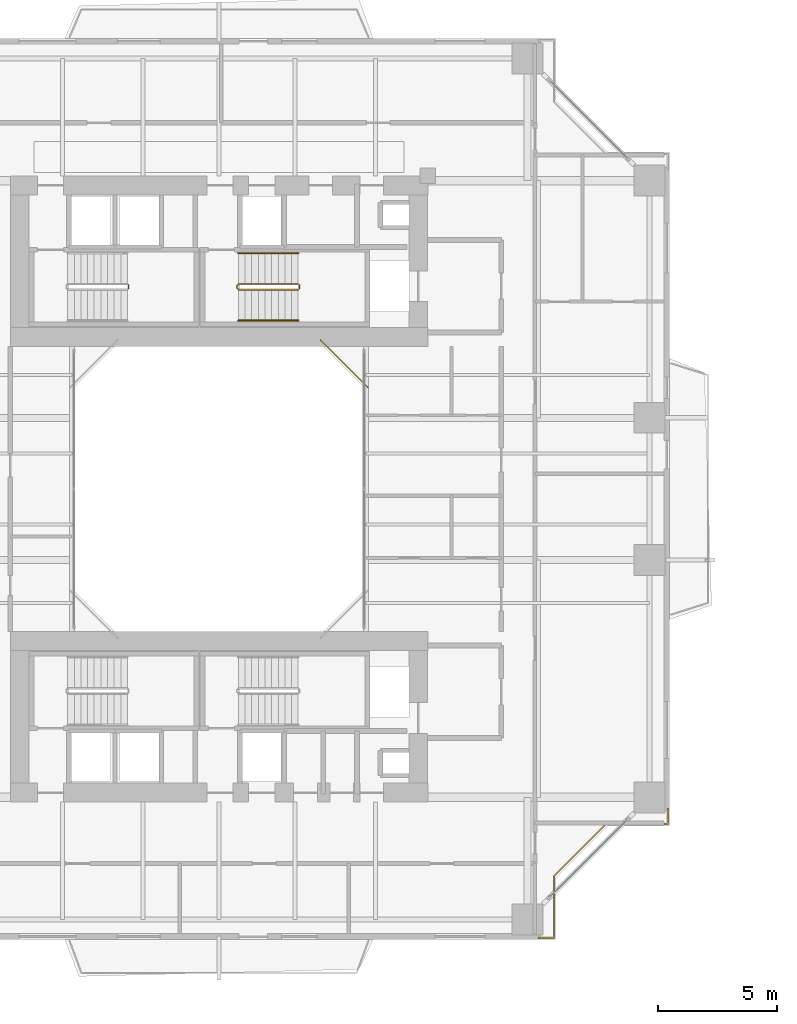
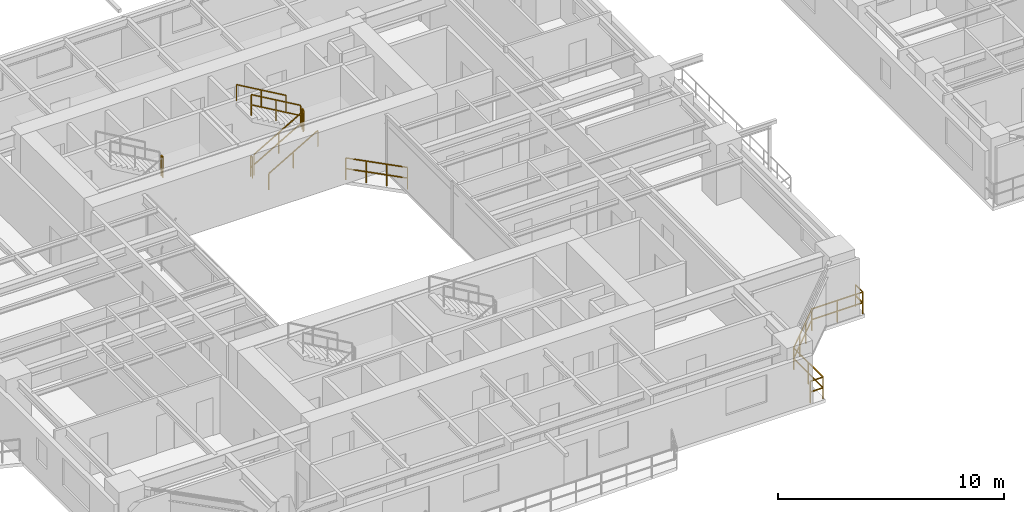
# One storey, part 21 of 23: 9 railings.
"""IFC4 building model written with IfcOpenShell, lengths in metres."""

from ifc_helpers import new_model, si_unit, direction, frame, origin, origin_2d, place, context, subcontext, project, spatial, rectangle, extrude, material, type_object, element, save


model = new_model("IFC4")

# Units and contexts
model_context = context("Model", 3, precision=1e-05, world=origin(), true_north=direction((0.0, 1.0)))
body_context = subcontext(model_context, "Body", "Model", "MODEL_VIEW")
ifc_project = project(units=[si_unit("LENGTHUNIT", "METRE"), si_unit("AREAUNIT", "SQUARE_METRE"), si_unit("VOLUMEUNIT", "CUBIC_METRE"), si_unit("PLANEANGLEUNIT", "RADIAN"), si_unit("MASSUNIT", "GRAM", prefix="KILO"), si_unit("THERMODYNAMICTEMPERATUREUNIT", "KELVIN"), si_unit("POWERUNIT", "WATT")], contexts=[model_context])

# Site, building, storey
site_placement = place(None, origin())
site = spatial("IfcSite", under=ifc_project, at=site_placement, CompositionType="ELEMENT")
building_placement = place(site_placement, origin())
building = spatial("IfcBuilding", under=site, at=building_placement, Name="Qiaomeng Ring Towers", CompositionType="ELEMENT")
storey_placement = place(building_placement, frame((0.0, 0.0, 26.25)))
storey = spatial("IfcBuildingStorey", under=building, at=storey_placement, Name="L06", CompositionType="ELEMENT", Elevation=26.25)

# Railings
ifc_material_1 = material(Name="Low-E pale-green laminated safety glass", Category="glass")
railing_type_1 = type_object("IfcRailingType", Name="ARC-RL-BAL1", PredefinedType="BALUSTRADE", material=ifc_material_1)
railing_1_placement = place(storey_placement, frame((25.280029296875, 27.280029296875, 0.0)))
element("IfcRailing", 1, at=railing_1_placement, inside=storey, type_object=railing_type_1, Name="L06 Balustrade ARC-BAL-WELL1-L06-2", PredefinedType="BALUSTRADE", context=body_context, shape_type="SweptSolid", body=[
    extrude(rectangle(XDim=0.048095703125, YDim=0.048095703125, at=origin_2d()), frame((0.0, 0.0, 1.17578125), z_axis=(-0.707106781187, 0.707106781187, 0.0), x_axis=(-0.707106781187, -0.707106781187, 0.0)), (0.0, 0.0, 1.0), 2.828369140625),
    extrude(rectangle(XDim=0.048095703125, YDim=0.048095703125, at=origin_2d()), frame((0.0, 0.0, 0.60009765625), z_axis=(-0.707106781187, 0.707106781187, 0.0), x_axis=(-0.707106781187, -0.707106781187, 0.0)), (0.0, 0.0, 1.0), 2.828369140625),
    extrude(rectangle(XDim=0.0419921875, YDim=0.0419921875, at=origin_2d()), origin(), (0.0, 0.0, 1.0), 1.15185546875),
    extrude(rectangle(XDim=0.0419921875, YDim=0.0419921875, at=origin_2d()), frame((-0.666748046875, 0.666748046875, 0.0)), (0.0, 0.0, 1.0), 1.15185546875),
    extrude(rectangle(XDim=0.0419921875, YDim=0.0419921875, at=origin_2d()), frame((-1.333251953125, 1.333251953125, 0.0)), (0.0, 0.0, 1.0), 1.15185546875),
    extrude(rectangle(XDim=0.0419921875, YDim=0.0419921875, at=origin_2d()), frame((-2.0, 2.0, 0.0)), (0.0, 0.0, 1.0), 1.15185546875),
])
railing_2_placement = place(storey_placement, frame((32.469970703125, 4.080078125, 0.0)))
element("IfcRailing", 2, at=railing_2_placement, inside=storey, type_object=railing_type_1, Name="L06 Balustrade ARC-BAL-NOTCH1-L06-SE", PredefinedType="BALUSTRADE", context=body_context, shape_type="SweptSolid", body=[
    extrude(rectangle(XDim=0.048095703125, YDim=0.048095703125, at=origin_2d()), frame((0.0, 0.0, 1.17578125), z_axis=(1.0, 0.0, 0.0), x_axis=(0.0, 1.0, 0.0)), (0.0, 0.0, 1.0), 0.650146484375),
    extrude(rectangle(XDim=0.048095703125, YDim=0.048095703125, at=origin_2d()), frame((0.0, 0.0, 0.60009765625), z_axis=(1.0, 0.0, 0.0), x_axis=(0.0, 1.0, 0.0)), (0.0, 0.0, 1.0), 0.650146484375),
    extrude(rectangle(XDim=0.048095703125, YDim=0.048095703125, at=origin_2d()), frame((0.650146484375, 0.0, 1.17578125), z_axis=(0.0, 1.0, 0.0), x_axis=(-1.0, 0.0, 0.0)), (0.0, 0.0, 1.0), 2.599853515625),
    extrude(rectangle(XDim=0.048095703125, YDim=0.048095703125, at=origin_2d()), frame((0.650146484375, 0.0, 0.60009765625), z_axis=(0.0, 1.0, 0.0), x_axis=(-1.0, 0.0, 0.0)), (0.0, 0.0, 1.0), 2.599853515625),
    extrude(rectangle(XDim=0.048095703125, YDim=0.048095703125, at=origin_2d()), frame((0.650146484375, 2.599853515625, 1.17578125), z_axis=(0.707106781187, 0.707106781187, 0.0), x_axis=(-0.707106781187, 0.707106781187, 0.0)), (0.0, 0.0, 1.0), 3.111083984375),
    extrude(rectangle(XDim=0.048095703125, YDim=0.048095703125, at=origin_2d()), frame((0.650146484375, 2.599853515625, 0.60009765625), z_axis=(0.707106781187, 0.707106781187, 0.0), x_axis=(-0.707106781187, 0.707106781187, 0.0)), (0.0, 0.0, 1.0), 3.111083984375),
    extrude(rectangle(XDim=0.048095703125, YDim=0.048095703125, at=origin_2d()), frame((2.85009765625, 4.7998046875, 1.17578125), z_axis=(1.0, 0.0, 0.0), x_axis=(0.0, 1.0, 0.0)), (0.0, 0.0, 1.0), 2.599853515625),
    extrude(rectangle(XDim=0.048095703125, YDim=0.048095703125, at=origin_2d()), frame((2.85009765625, 4.7998046875, 0.60009765625), z_axis=(1.0, 0.0, 0.0), x_axis=(0.0, 1.0, 0.0)), (0.0, 0.0, 1.0), 2.599853515625),
    extrude(rectangle(XDim=0.048095703125, YDim=0.048095703125, at=origin_2d()), frame((5.449951171875, 4.7998046875, 1.17578125), z_axis=(0.0, 1.0, 0.0), x_axis=(-1.0, 0.0, 0.0)), (0.0, 0.0, 1.0), 0.650146484375),
    extrude(rectangle(XDim=0.048095703125, YDim=0.048095703125, at=origin_2d()), frame((5.449951171875, 4.7998046875, 0.60009765625), z_axis=(0.0, 1.0, 0.0), x_axis=(-1.0, 0.0, 0.0)), (0.0, 0.0, 1.0), 0.650146484375),
    extrude(rectangle(XDim=0.0419921875, YDim=0.0419921875, at=origin_2d()), origin(), (0.0, 0.0, 1.0), 1.15185546875),
    extrude(rectangle(XDim=0.0419921875, YDim=0.0419921875, at=origin_2d()), frame((0.650146484375, 0.0, 0.0)), (0.0, 0.0, 1.0), 1.15185546875),
    extrude(rectangle(XDim=0.0419921875, YDim=0.0419921875, at=origin_2d()), frame((0.650146484375, 1.2998046875, 0.0)), (0.0, 0.0, 1.0), 1.15185546875),
    extrude(rectangle(XDim=0.0419921875, YDim=0.0419921875, at=origin_2d()), frame((0.650146484375, 2.599853515625, 0.0)), (0.0, 0.0, 1.0), 1.15185546875),
    extrude(rectangle(XDim=0.0419921875, YDim=0.0419921875, at=origin_2d()), frame((1.383544921875, 3.333251953125, 0.0)), (0.0, 0.0, 1.0), 1.15185546875),
    extrude(rectangle(XDim=0.0419921875, YDim=0.0419921875, at=origin_2d()), frame((2.11669921875, 4.06640625, 0.0)), (0.0, 0.0, 1.0), 1.15185546875),
    extrude(rectangle(XDim=0.0419921875, YDim=0.0419921875, at=origin_2d()), frame((2.85009765625, 4.7998046875, 0.0)), (0.0, 0.0, 1.0), 1.15185546875),
    extrude(rectangle(XDim=0.0419921875, YDim=0.0419921875, at=origin_2d()), frame((4.14990234375, 4.7998046875, 0.0)), (0.0, 0.0, 1.0), 1.15185546875),
    extrude(rectangle(XDim=0.0419921875, YDim=0.0419921875, at=origin_2d()), frame((5.449951171875, 4.7998046875, 0.0)), (0.0, 0.0, 1.0), 1.15185546875),
    extrude(rectangle(XDim=0.0419921875, YDim=0.0419921875, at=origin_2d()), frame((5.449951171875, 5.449951171875, 0.0)), (0.0, 0.0, 1.0), 1.15185546875),
])
ifc_material_2 = material(Name="Galvanised steel", Category="steel")
railing_type_2 = type_object("IfcRailingType", Name="ARC-RL-GUARD", PredefinedType="GUARDRAIL", material=ifc_material_2)
railing_3_placement = place(storey_placement, frame((15.18994140625, 31.449951171875, 1.625)))
element("IfcRailing", 3, at=railing_3_placement, inside=storey, type_object=railing_type_2, Name="L06 ST1 stair guard 2", PredefinedType="GUARDRAIL", context=body_context, shape_type="SweptSolid", body=[
    extrude(rectangle(XDim=0.048095703125, YDim=0.048095703125, at=origin_2d()), frame((0.0, 0.0, 1.1259765625), z_axis=(0.0, 1.0, 0.0), x_axis=(-1.0, 0.0, 0.0)), (0.0, 0.0, 1.0), 0.14013671875),
    extrude(rectangle(XDim=0.048095703125, YDim=0.048095703125, at=origin_2d()), frame((0.0, 0.0, 0.574951171875), z_axis=(0.0, 1.0, 0.0), x_axis=(-1.0, 0.0, 0.0)), (0.0, 0.0, 1.0), 0.14013671875),
    extrude(rectangle(XDim=0.0419921875, YDim=0.0419921875, at=origin_2d()), origin(), (0.0, 0.0, 1.0), 1.101806640625),
    extrude(rectangle(XDim=0.0419921875, YDim=0.0419921875, at=origin_2d()), frame((0.0, 0.14013671875, 0.0)), (0.0, 0.0, 1.0), 1.101806640625),
])
railing_4_placement = place(storey_placement, frame((19.820068359375, 31.39990234375, 0.16259765625)))
element("IfcRailing", 4, at=railing_4_placement, inside=storey, type_object=railing_type_2, Name="L06 ST2 stair guard 1", PredefinedType="GUARDRAIL", context=body_context, shape_type="SweptSolid", body=[
    extrude(rectangle(XDim=0.048095703125, YDim=0.048095703125, at=origin_2d()), frame((0.0, 0.0, 1.1259765625), z_axis=(0.864913338283, 0.0, 0.50192122615), x_axis=(0.0, 1.0, 0.0)), (0.0, 0.0, 1.0), 2.91357421875),
    extrude(rectangle(XDim=0.048095703125, YDim=0.048095703125, at=origin_2d()), frame((0.0, 0.0, 0.574951171875), z_axis=(0.864913338283, 0.0, 0.50192122615), x_axis=(0.0, 1.0, 0.0)), (0.0, 0.0, 1.0), 2.91357421875),
    extrude(rectangle(XDim=0.0419921875, YDim=0.0419921875, at=origin_2d()), origin(), (0.0, 0.0, 1.0), 1.101806640625),
    extrude(rectangle(XDim=0.0419921875, YDim=0.0419921875, at=origin_2d()), frame((1.260009765625, 0.0, 0.731201171875)), (0.0, 0.0, 1.0), 1.101806640625),
    extrude(rectangle(XDim=0.0419921875, YDim=0.0419921875, at=origin_2d()), frame((2.52001953125, 0.0, 1.46240234375)), (0.0, 0.0, 1.0), 1.101806640625),
])
railing_5_placement = place(storey_placement, frame((22.389892578125, 31.449951171875, 1.625)))
element("IfcRailing", 5, at=railing_5_placement, inside=storey, type_object=railing_type_2, Name="L06 ST2 stair guard 2", PredefinedType="GUARDRAIL", context=body_context, shape_type="SweptSolid", body=[
    extrude(rectangle(XDim=0.048095703125, YDim=0.048095703125, at=origin_2d()), frame((0.0, 0.0, 1.1259765625), z_axis=(0.0, 1.0, 0.0), x_axis=(-1.0, 0.0, 0.0)), (0.0, 0.0, 1.0), 0.14013671875),
    extrude(rectangle(XDim=0.048095703125, YDim=0.048095703125, at=origin_2d()), frame((0.0, 0.0, 0.574951171875), z_axis=(0.0, 1.0, 0.0), x_axis=(-1.0, 0.0, 0.0)), (0.0, 0.0, 1.0), 0.14013671875),
    extrude(rectangle(XDim=0.0419921875, YDim=0.0419921875, at=origin_2d()), origin(), (0.0, 0.0, 1.0), 1.101806640625),
    extrude(rectangle(XDim=0.0419921875, YDim=0.0419921875, at=origin_2d()), frame((0.0, 0.14013671875, 0.0)), (0.0, 0.0, 1.0), 1.101806640625),
])
railing_6_placement = place(storey_placement, frame((22.340087890625, 31.639892578125, 1.78759765625)))
element("IfcRailing", 6, at=railing_6_placement, inside=storey, type_object=railing_type_2, Name="L06 ST2 stair guard 3", PredefinedType="GUARDRAIL", context=body_context, shape_type="SweptSolid", body=[
    extrude(rectangle(XDim=0.048095703125, YDim=0.048095703125, at=origin_2d()), frame((0.0, 0.0, 1.1259765625), z_axis=(-0.864913338283, 0.0, 0.50192122615), x_axis=(0.0, -1.0, 0.0)), (0.0, 0.0, 1.0), 2.91357421875),
    extrude(rectangle(XDim=0.048095703125, YDim=0.048095703125, at=origin_2d()), frame((0.0, 0.0, 0.574951171875), z_axis=(-0.864913338283, 0.0, 0.50192122615), x_axis=(0.0, -1.0, 0.0)), (0.0, 0.0, 1.0), 2.91357421875),
    extrude(rectangle(XDim=0.0419921875, YDim=0.0419921875, at=origin_2d()), origin(), (0.0, 0.0, 1.0), 1.101806640625),
    extrude(rectangle(XDim=0.0419921875, YDim=0.0419921875, at=origin_2d()), frame((-1.260009765625, 0.0, 0.731201171875)), (0.0, 0.0, 1.0), 1.101806640625),
    extrude(rectangle(XDim=0.0419921875, YDim=0.0419921875, at=origin_2d()), frame((-2.52001953125, 0.0, 1.46240234375)), (0.0, 0.0, 1.0), 1.101806640625),
])
railing_7_placement = place(storey_placement, frame((19.77001953125, 31.449951171875, 0.0)))
element("IfcRailing", 7, at=railing_7_placement, inside=storey, type_object=railing_type_2, Name="L06 ST2 stair guard 4", PredefinedType="GUARDRAIL", context=body_context, shape_type="SweptSolid", body=[
    extrude(rectangle(XDim=0.048095703125, YDim=0.048095703125, at=origin_2d()), frame((0.0, 0.0, 1.1259765625), z_axis=(0.0, 1.0, 0.0), x_axis=(-1.0, 0.0, 0.0)), (0.0, 0.0, 1.0), 0.14013671875),
    extrude(rectangle(XDim=0.048095703125, YDim=0.048095703125, at=origin_2d()), frame((0.0, 0.0, 0.574951171875), z_axis=(0.0, 1.0, 0.0), x_axis=(-1.0, 0.0, 0.0)), (0.0, 0.0, 1.0), 0.14013671875),
    extrude(rectangle(XDim=0.0419921875, YDim=0.0419921875, at=origin_2d()), origin(), (0.0, 0.0, 1.0), 1.101806640625),
    extrude(rectangle(XDim=0.0419921875, YDim=0.0419921875, at=origin_2d()), frame((0.0, 0.14013671875, 0.0)), (0.0, 0.0, 1.0), 1.101806640625),
])
ifc_material_3 = material(Name="Stainless steel 316", Category="steel")
railing_type_3 = type_object("IfcRailingType", Name="ARC-RL-HAND", PredefinedType="HANDRAIL", material=ifc_material_3)
railing_8_placement = place(storey_placement, frame((19.820068359375, 30.10009765625, 0.16259765625)))
element("IfcRailing", 8, at=railing_8_placement, inside=storey, type_object=railing_type_3, Name="L06 ST2 stair handrail 1", PredefinedType="HANDRAIL", context=body_context, shape_type="SweptSolid", body=[
    extrude(rectangle(XDim=0.048095703125, YDim=0.048095703125, at=origin_2d()), frame((0.0, 0.0, 0.8759765625), z_axis=(0.864913338283, 0.0, 0.50192122615), x_axis=(0.0, 1.0, 0.0)), (0.0, 0.0, 1.0), 2.91357421875),
    extrude(rectangle(XDim=0.0419921875, YDim=0.0419921875, at=origin_2d()), origin(), (0.0, 0.0, 1.0), 0.851806640625),
    extrude(rectangle(XDim=0.0419921875, YDim=0.0419921875, at=origin_2d()), frame((1.260009765625, 0.0, 0.731201171875)), (0.0, 0.0, 1.0), 0.851806640625),
    extrude(rectangle(XDim=0.0419921875, YDim=0.0419921875, at=origin_2d()), frame((2.52001953125, 0.0, 1.46240234375)), (0.0, 0.0, 1.0), 0.851806640625),
])
railing_9_placement = place(storey_placement, frame((22.340087890625, 32.93994140625, 1.78759765625)))
element("IfcRailing", 9, at=railing_9_placement, inside=storey, type_object=railing_type_3, Name="L06 ST2 stair handrail 2", PredefinedType="HANDRAIL", context=body_context, shape_type="SweptSolid", body=[
    extrude(rectangle(XDim=0.048095703125, YDim=0.048095703125, at=origin_2d()), frame((0.0, 0.0, 0.8759765625), z_axis=(-0.864913338283, 0.0, 0.50192122615), x_axis=(0.0, -1.0, 0.0)), (0.0, 0.0, 1.0), 2.91357421875),
    extrude(rectangle(XDim=0.0419921875, YDim=0.0419921875, at=origin_2d()), origin(), (0.0, 0.0, 1.0), 0.851806640625),
    extrude(rectangle(XDim=0.0419921875, YDim=0.0419921875, at=origin_2d()), frame((-1.260009765625, 0.0, 0.731201171875)), (0.0, 0.0, 1.0), 0.851806640625),
    extrude(rectangle(XDim=0.0419921875, YDim=0.0419921875, at=origin_2d()), frame((-2.52001953125, 0.0, 1.46240234375)), (0.0, 0.0, 1.0), 0.851806640625),
])

save(model, "model.ifc")
